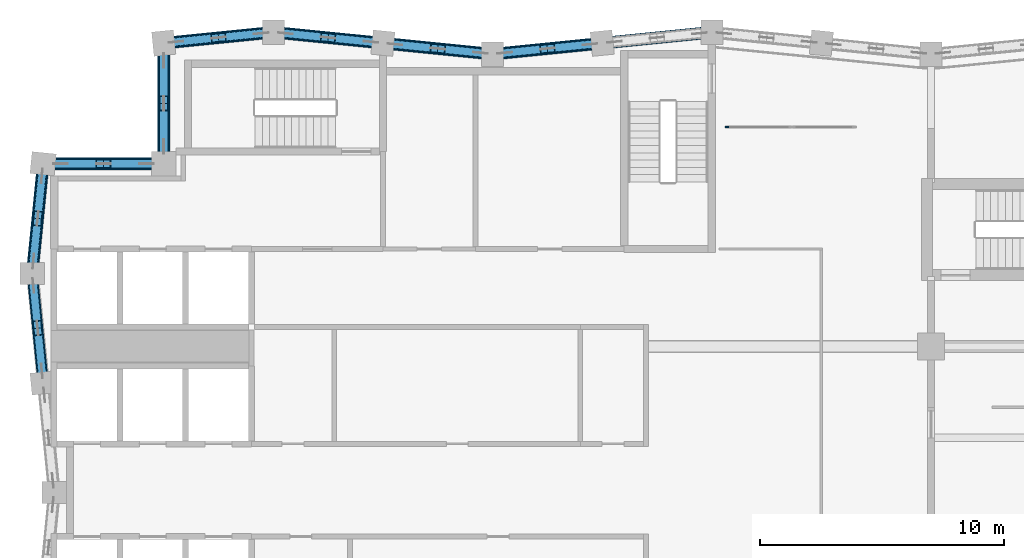
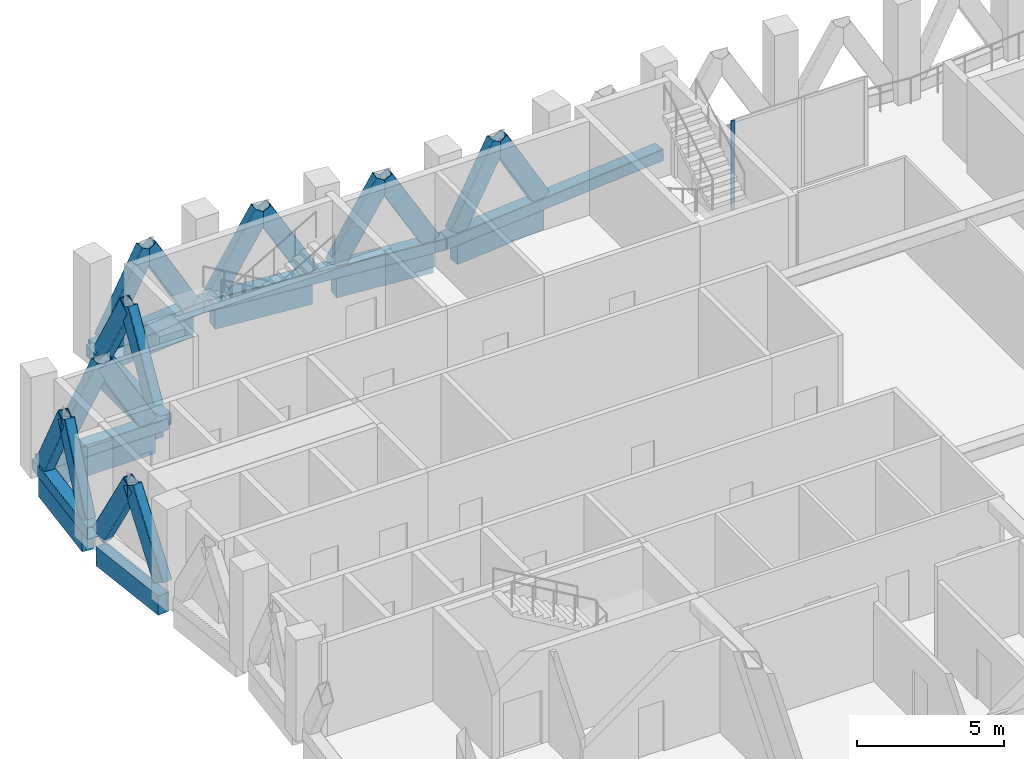
# One storey, part 5 of 18: 23 members, 8 beams, 1 element without a shape of its own.
"""IFC4 building model written with IfcOpenShell, lengths in metres."""

from ifc_helpers import new_model, si_unit, direction, frame, origin, origin_2d, place, context, subcontext, project, spatial, rectangle, hollow_rectangle, extrude, material, material_profile, profile_set, type_object, element, aggregate, save


model = new_model("IFC4")

# Units and contexts
model_context = context("Model", 3, precision=1e-05, world=origin(), true_north=direction((0.0, 1.0)))
body_context = subcontext(model_context, "Body", "Model", "MODEL_VIEW")
ifc_project = project(units=[si_unit("LENGTHUNIT", "METRE"), si_unit("AREAUNIT", "SQUARE_METRE"), si_unit("VOLUMEUNIT", "CUBIC_METRE"), si_unit("PLANEANGLEUNIT", "RADIAN"), si_unit("MASSUNIT", "GRAM", prefix="KILO")], contexts=[model_context])

# Site, building, storey
site_placement = place(None, origin())
site = spatial("IfcSite", under=ifc_project, at=site_placement, CompositionType="ELEMENT")
building_placement = place(site_placement, origin())
building = spatial("IfcBuilding", under=site, at=building_placement, Name="Brondeck Convention Tower", CompositionType="ELEMENT")
storey_placement = place(building_placement, frame((0.0, 0.0, 248.199951171875)))
storey = spatial("IfcBuildingStorey", under=building, at=storey_placement, Name="L61", CompositionType="ELEMENT", Elevation=248.199951171875)

# Curtain wall, member
ifc_material_1 = material(Name="Aluminium, bronze anodised", Category="aluminium")
curtain_wall_type = type_object("IfcCurtainWallType", Name="Band enclosure curtain wall", PredefinedType="NOTDEFINED", material=ifc_material_1)
curtain_wall_placement = place(storey_placement, origin())
curtain_wall = element("IfcCurtainWall", 1, at=curtain_wall_placement, inside=storey, type_object=curtain_wall_type, Name="ENV-L61-001-CW51", PredefinedType="NOTDEFINED")
ifc_material_profile_1 = material_profile(ifc_material_1, rectangle(XDim=0.06005859375, YDim=0.14990234375, at=origin_2d()), Name="CW5 mullion")
ifc_profile_set_1 = profile_set([ifc_material_profile_1], Name="Aluminium, bronze anodised")
member_type_1 = type_object("IfcMemberType", Name="CW5 mullion", PredefinedType="MULLION", material=ifc_profile_set_1)
member_1_placement = place(storey_placement, frame((27.6298828125, 60.0, 0.0), z_axis=(0.0, 0.0, 1.0), x_axis=(0.0, 1.0, 0.0)))
member_1 = element("IfcMember", 2, at=member_1_placement, type_object=member_type_1, Name="CW5 mullion 1", PredefinedType="MULLION", context=body_context, shape_type="SweptSolid", body=[
    extrude(rectangle(XDim=0.06005859375, YDim=0.14990234375, at=origin_2d()), origin(), (0.0, 0.0, 1.0), 3.699951171875),
])
aggregate(curtain_wall, [member_1])

# Members
ifc_material_2 = material(Name="Steel S460", Category="steel")
ifc_material_profile_2 = material_profile(ifc_material_2, hollow_rectangle(XDim=0.39990234375, YDim=0.699951171875, WallThickness=0.030029296875, InnerFilletRadius=0.030029296875, OuterFilletRadius=0.06005859375, at=origin_2d()), Name="RHS 700x400x30")
ifc_profile_set_2 = profile_set([ifc_material_profile_2], Name="Steel S460")
member_type_2 = type_object("IfcMemberType", Name="Chevron brace RHS 700x400x30", PredefinedType="BRACE", material=ifc_profile_set_2)
for number, where, z_axis, x_axis, name in (
    (3, (22.002197265625, 63.400146484375, 0.5), (-0.49751766528, -0.049703241745, 0.866028729601), (0.099407628771, -0.995046794549, 0.0), "Belt truss BT-61-29 diagonal"),
    (4, (18.497802734375, 63.0498046875, 0.5), (0.497515949904, 0.049772391254, 0.866025743647), (-0.099544899705, 0.995033071281, 0.0), "Belt truss BT-61-29 diagonal"),
    (5, (17.502197265625, 63.0498046875, 0.5), (-0.497515949904, 0.049772391254, 0.866025743647), (-0.099544899705, -0.995033071281, 0.0), "Belt truss BT-61-30 diagonal"),
    (6, (13.997802734375, 63.400146484375, 0.5), (0.49751766528, -0.049703241745, 0.866028729601), (0.099407628771, 0.995046794549, 0.0), "Belt truss BT-61-30 diagonal"),
    (7, (13.002197265625, 63.499755859375, 0.5), (-0.497515949904, 0.049772391254, 0.866025743647), (-0.099544899705, -0.995033071281, 0.0), "Belt truss BT-61-31 diagonal"),
    (8, (9.497802734375, 63.85009765625, 0.5), (0.49751766528, -0.049703241745, 0.866028729601), (0.099407628771, 0.995046794549, 0.0), "Belt truss BT-61-31 diagonal"),
    (9, (8.502197265625, 63.85009765625, 0.5), (-0.49751766528, -0.049703241745, 0.866028729601), (0.099407628771, -0.995046794549, 0.0), "Belt truss BT-61-32 diagonal"),
    (10, (4.997802734375, 63.499755859375, 0.5), (0.497515949904, 0.049772391254, 0.866025743647), (-0.099544899705, 0.995033071281, 0.0), "Belt truss BT-61-32 diagonal"),
):
    element("IfcMember", number, at=place(storey_placement, frame(where, z_axis=z_axis, x_axis=x_axis)), inside=storey, type_object=member_type_2, Name=name, PredefinedType="BRACE", context=body_context, shape_type="SweptSolid", body=[
        extrude(hollow_rectangle(XDim=0.39990234375, YDim=0.699951171875, WallThickness=0.030029296875, InnerFilletRadius=0.030029296875, OuterFilletRadius=0.06005859375, at=origin_2d()), origin(), (0.0, 0.0, 1.0), 3.52197265625),
    ])
member_2_placement = place(storey_placement, frame((4.5, 62.73583984375, 0.5), z_axis=(0.0, -0.499956486466, 0.866050524878), x_axis=(1.0, 0.0, 0.0)))
element("IfcMember", 11, at=member_2_placement, inside=storey, type_object=member_type_2, Name="Belt truss BT-61-33 diagonal", PredefinedType="BRACE", context=body_context, shape_type="SweptSolid", body=[
    extrude(hollow_rectangle(XDim=0.39990234375, YDim=0.699951171875, WallThickness=0.030029296875, InnerFilletRadius=0.030029296875, OuterFilletRadius=0.06005859375, at=origin_2d()), origin(), (0.0, 0.0, 1.0), 3.521728515625),
])
for number, where, z_axis, x_axis, name in (
    (12, (4.5, 59.214111328125, 0.5), (0.0, 0.500008478926, 0.866020508419), (-1.0, 0.0, 0.0), "Belt truss BT-61-33 diagonal"),
    (13, (3.785888671875, 58.5, 0.5), (-0.500008478926, 0.0, 0.866020508419), (0.0, -1.0, 0.0), "Belt truss BT-61-34 diagonal"),
):
    element("IfcMember", number, at=place(storey_placement, frame(where, z_axis=z_axis, x_axis=x_axis)), inside=storey, type_object=member_type_2, Name=name, PredefinedType="BRACE", context=body_context, shape_type="SweptSolid", body=[
        extrude(hollow_rectangle(XDim=0.39990234375, YDim=0.699951171875, WallThickness=0.030029296875, InnerFilletRadius=0.030029296875, OuterFilletRadius=0.06005859375, at=origin_2d()), origin(), (0.0, 0.0, 1.0), 3.52197265625),
    ])
member_3_placement = place(storey_placement, frame((0.26416015625, 58.5, 0.5), z_axis=(0.499956486466, 0.0, 0.866050524878), x_axis=(0.0, 1.0, 0.0)))
element("IfcMember", 14, at=member_3_placement, inside=storey, type_object=member_type_2, Name="Belt truss BT-61-34 diagonal", PredefinedType="BRACE", context=body_context, shape_type="SweptSolid", body=[
    extrude(hollow_rectangle(XDim=0.39990234375, YDim=0.699951171875, WallThickness=0.030029296875, InnerFilletRadius=0.030029296875, OuterFilletRadius=0.06005859375, at=origin_2d()), origin(), (0.0, 0.0, 1.0), 3.521728515625),
])
for number, where, z_axis, x_axis, name in (
    (15, (-0.499755859375, 58.002197265625, 0.5), (-0.049772391254, -0.497515949904, 0.866025743647), (0.995033071281, -0.099544899705, 0.0), "Belt truss BT-61-35 diagonal"),
    (16, (-0.85009765625, 54.497802734375, 0.5), (0.049703241745, 0.49751766528, 0.866028729601), (-0.995046794549, 0.099407628771, 0.0), "Belt truss BT-61-35 diagonal"),
    (17, (-0.85009765625, 53.502197265625, 0.5), (0.049703241745, -0.49751766528, 0.866028729601), (0.995046794549, 0.099407628771, 0.0), "Belt truss BT-61-36 diagonal"),
    (18, (-0.499755859375, 49.997802734375, 0.5), (-0.049772391254, 0.497515949904, 0.866025743647), (-0.995033071281, -0.099544899705, 0.0), "Belt truss BT-61-36 diagonal"),
):
    element("IfcMember", number, at=place(storey_placement, frame(where, z_axis=z_axis, x_axis=x_axis)), inside=storey, type_object=member_type_2, Name=name, PredefinedType="BRACE", context=body_context, shape_type="SweptSolid", body=[
        extrude(hollow_rectangle(XDim=0.39990234375, YDim=0.699951171875, WallThickness=0.030029296875, InnerFilletRadius=0.030029296875, OuterFilletRadius=0.06005859375, at=origin_2d()), origin(), (0.0, 0.0, 1.0), 3.52197265625),
    ])

# Beams
ifc_material_3 = material(Name="Concrete C50/60", Category="concrete")
ifc_material_profile_3 = material_profile(ifc_material_3, rectangle(XDim=0.449951171875, YDim=0.800048828125, at=origin_2d()), Name="Precast spandrel 450x800 Concrete C50/60")
ifc_profile_set_3 = profile_set([ifc_material_profile_3], Name="Concrete C50/60")
beam_type = type_object("IfcBeamType", Name="Precast spandrel 450x800 Concrete C50/60", PredefinedType="SPANDREL", material=ifc_profile_set_3)
for number, where, z_axis, x_axis, name in (
    (19, (22.05224609375, 63.4052734375, -0.39990234375), (-0.995033851182, -0.099537103649, 0.0), (0.099537103649, -0.995033851182, 0.0), "STR-SP-L61-029"),
    (20, (17.550048828125, 63.044921875, -0.39990234375), (-0.995033851182, 0.099537103649, 0.0), (-0.099537103649, -0.995033851182, 0.0), "STR-SP-L61-030"),
    (21, (13.05224609375, 63.494873046875, -0.39990234375), (-0.995040528141, 0.099470334057, 0.0), (-0.099470334057, -0.995040528141, 0.0), "STR-SP-L61-031"),
    (22, (8.550048828125, 63.85498046875, -0.39990234375), (-0.995040528141, -0.099470334057, 0.0), (0.099470334057, -0.995040528141, 0.0), "STR-SP-L61-032"),
):
    element("IfcBeam", number, at=place(storey_placement, frame(where, z_axis=z_axis, x_axis=x_axis)), inside=storey, type_object=beam_type, Name=name, PredefinedType="SPANDREL", context=body_context, shape_type="SweptSolid", body=[
        extrude(rectangle(XDim=0.449951171875, YDim=0.800048828125, at=origin_2d()), origin(), (0.0, 0.0, 1.0), 3.620361328125),
    ])
for number, where, z_axis, x_axis, name in (
    (23, (4.5, 62.947509765625, -0.39990234375), (0.0, -1.0, 0.0), (1.0, 0.0, 0.0), "STR-SP-L61-033"),
    (24, (4.0, 58.5, -0.39990234375), (-1.0, 0.0, 0.0), (0.0, -1.0, 0.0), "STR-SP-L61-034"),
):
    element("IfcBeam", number, at=place(storey_placement, frame(where, z_axis=z_axis, x_axis=x_axis)), inside=storey, type_object=beam_type, Name=name, PredefinedType="SPANDREL", context=body_context, shape_type="SweptSolid", body=[
        extrude(rectangle(XDim=0.449951171875, YDim=0.800048828125, at=origin_2d()), origin(), (0.0, 0.0, 1.0), 3.947509765625),
    ])
for number, where, z_axis, x_axis, name in (
    (25, (-0.494873046875, 58.05224609375, -0.39990234375), (-0.099470334057, -0.995040528141, 0.0), (0.995040528141, -0.099470334057, 0.0), "STR-SP-L61-035"),
    (26, (-0.85498046875, 53.550048828125, -0.39990234375), (0.099470334057, -0.995040528141, 0.0), (0.995040528141, 0.099470334057, 0.0), "STR-SP-L61-036"),
):
    element("IfcBeam", number, at=place(storey_placement, frame(where, z_axis=z_axis, x_axis=x_axis)), inside=storey, type_object=beam_type, Name=name, PredefinedType="SPANDREL", context=body_context, shape_type="SweptSolid", body=[
        extrude(rectangle(XDim=0.449951171875, YDim=0.800048828125, at=origin_2d()), origin(), (0.0, 0.0, 1.0), 3.620361328125),
    ])

# Members
ifc_material_profile_4 = material_profile(ifc_material_2, hollow_rectangle(XDim=0.5, YDim=0.5, WallThickness=0.02490234375, InnerFilletRadius=0.02490234375, OuterFilletRadius=0.050048828125, at=origin_2d()), Name="RHS 500x500x25")
ifc_profile_set_4 = profile_set([ifc_material_profile_4], Name="Steel S460")
member_type_3 = type_object("IfcMemberType", Name="Truss chord RHS 500x500x25", PredefinedType="CHORD", material=ifc_profile_set_4)
for number, where, z_axis, x_axis, name in (
    (27, (27.0, 63.89990234375, 0.25), (-0.995038259148, -0.099493029059, 0.0), (0.099493029059, -0.995038259148, 0.0), "Belt truss BT-61-15 chord"),
    (28, (18.0, 63.0, 0.25), (-0.995038259148, 0.099493029059, 0.0), (-0.099493029059, -0.995038259148, 0.0), "Belt truss BT-61-16 chord"),
):
    element("IfcMember", number, at=place(storey_placement, frame(where, z_axis=z_axis, x_axis=x_axis)), inside=storey, type_object=member_type_3, Name=name, PredefinedType="CHORD", context=body_context, shape_type="SweptSolid", body=[
        extrude(hollow_rectangle(XDim=0.5, YDim=0.5, WallThickness=0.02490234375, InnerFilletRadius=0.02490234375, OuterFilletRadius=0.050048828125, at=origin_2d()), origin(), (0.0, 0.0, 1.0), 9.044921875),
    ])
member_4_placement = place(storey_placement, frame((9.0, 63.89990234375, 0.25), z_axis=(-0.995038259148, -0.099493029059, 0.0), x_axis=(0.099493029059, -0.995038259148, 0.0)))
element("IfcMember", 29, at=member_4_placement, inside=storey, type_object=member_type_3, Name="Belt truss BT-61-17 chord", PredefinedType="CHORD", context=body_context, shape_type="SweptSolid", body=[
    extrude(hollow_rectangle(XDim=0.5, YDim=0.5, WallThickness=0.02490234375, InnerFilletRadius=0.02490234375, OuterFilletRadius=0.050048828125, at=origin_2d()), origin(), (0.0, 0.0, 1.0), 4.5224609375),
])
for number, where, z_axis, x_axis, name in (
    (30, (4.5, 63.449951171875, 0.25), (0.0, -1.0, 0.0), (1.0, 0.0, 0.0), "Belt truss BT-61-18 chord"),
    (31, (4.5, 58.5, 0.25), (-1.0, 0.0, 0.0), (0.0, -1.0, 0.0), "Belt truss BT-61-19 chord"),
):
    element("IfcMember", number, at=place(storey_placement, frame(where, z_axis=z_axis, x_axis=x_axis)), inside=storey, type_object=member_type_3, Name=name, PredefinedType="CHORD", context=body_context, shape_type="SweptSolid", body=[
        extrude(hollow_rectangle(XDim=0.5, YDim=0.5, WallThickness=0.02490234375, InnerFilletRadius=0.02490234375, OuterFilletRadius=0.050048828125, at=origin_2d()), origin(), (0.0, 0.0, 1.0), 4.949951171875),
    ])
member_5_placement = place(storey_placement, frame((-0.449951171875, 58.5, 0.25), z_axis=(-0.099493029059, -0.995038259148, 0.0), x_axis=(0.995038259148, -0.099493029059, 0.0)))
element("IfcMember", 32, at=member_5_placement, inside=storey, type_object=member_type_3, Name="Belt truss BT-61-20 chord", PredefinedType="CHORD", context=body_context, shape_type="SweptSolid", body=[
    extrude(hollow_rectangle(XDim=0.5, YDim=0.5, WallThickness=0.02490234375, InnerFilletRadius=0.02490234375, OuterFilletRadius=0.050048828125, at=origin_2d()), origin(), (0.0, 0.0, 1.0), 4.5224609375),
])

save(model, "model.ifc")
